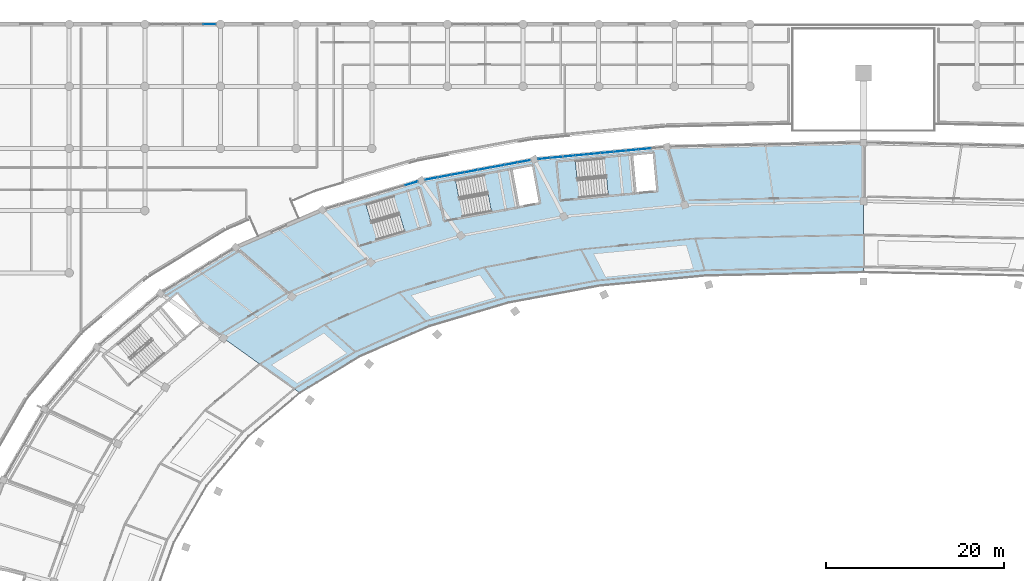
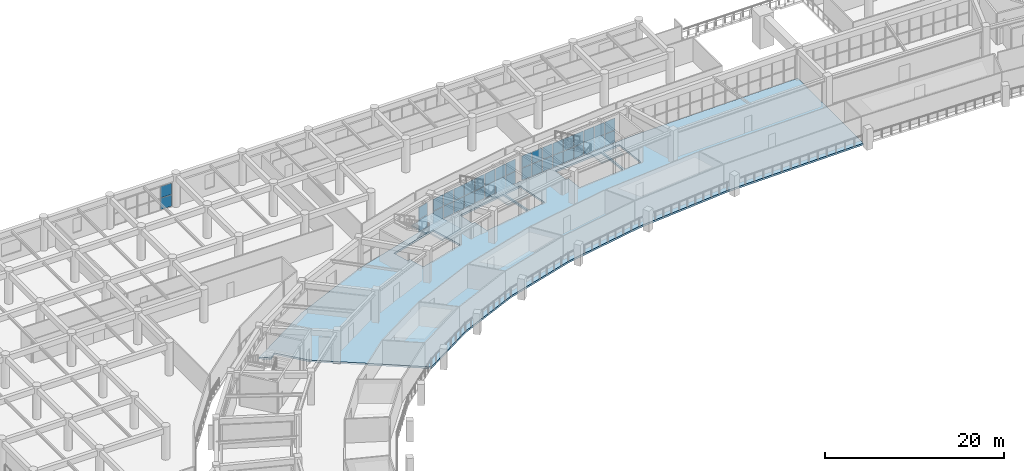
# One storey, part 83 of 141: 38 plates, 4 slabs, 7 elements without a shape of their own.
"""IFC4 building model written with IfcOpenShell, lengths in metres."""

from ifc_helpers import new_model, si_unit, direction, frame, origin, origin_2d, place, context, subcontext, project, spatial, polyline, rectangle, outline, extrude, material, layer, layer_set, type_object, element, aggregate, save


model = new_model("IFC4")

# Units and contexts
model_context = context("Model", 3, precision=1e-05, world=origin(), true_north=direction((0.0, 1.0)))
body_context = subcontext(model_context, "Body", "Model", "MODEL_VIEW")
ifc_project = project(units=[si_unit("LENGTHUNIT", "METRE"), si_unit("AREAUNIT", "SQUARE_METRE"), si_unit("VOLUMEUNIT", "CUBIC_METRE"), si_unit("PLANEANGLEUNIT", "RADIAN"), si_unit("MASSUNIT", "GRAM", prefix="KILO")], contexts=[model_context])

# Site, building, storey
site_placement = place(None, origin())
site = spatial("IfcSite", under=ifc_project, at=site_placement, CompositionType="ELEMENT")
building_placement = place(site_placement, origin())
building = spatial("IfcBuilding", under=site, at=building_placement, Name="Mphavela Belvedere Stadium", CompositionType="ELEMENT")
storey_placement = place(building_placement, frame((0.0, 0.0, 14.699951171875)))
storey = spatial("IfcBuildingStorey", under=building, at=storey_placement, Name="L03", CompositionType="ELEMENT", Elevation=14.699951171875)

# Curtain wall, plates
ifc_material_1 = material(Name="Anodised bronze unitised curtain wall framing")
ifc_layer_1 = layer(ifc_material_1, 0.205078125)
ifc_layer_set_1 = layer_set([ifc_layer_1], Name="Anodised bronze unitised curtain wall framing")
curtain_wall_type_1 = type_object("IfcCurtainWallType", Name="CW-UNIT-06", PredefinedType="USERDEFINED", material=ifc_layer_set_1)
curtain_wall_1_placement = place(storey_placement, origin())
curtain_wall_1 = element("IfcCurtainWall", 1, at=curtain_wall_1_placement, inside=storey, type_object=curtain_wall_type_1, Name="Belvedere colonnade curtain wall L03-14", ObjectType="UNITISED CURTAIN WALL", PredefinedType="USERDEFINED")
ifc_material_2 = material(Name="Solar-control double glazing", Category="glass")
ifc_layer_2 = layer(ifc_material_2, 0.031982421875)
ifc_layer_set_2 = layer_set([ifc_layer_2], Name="Solar-control double glazing")
plate_type = type_object("IfcPlateType", Name="CWP-SOLAR-GLASS", PredefinedType="CURTAIN_PANEL", material=ifc_layer_set_2)
plate_1_placement = place(storey_placement, frame((90.3818359375, 159.955078125, 0.06005859375), z_axis=(0.0, 0.0, 1.0), x_axis=(-0.99548400913, -0.094929381996, 0.0)))
plate_1 = element("IfcPlate", 2, at=plate_1_placement, type_object=plate_type, Name="CW-06 panel 2.1", PredefinedType="CURTAIN_PANEL", context=body_context, shape_type="SweptSolid", body=[
    extrude(rectangle(XDim=1.363037109375, YDim=0.031982421875, at=origin_2d()), origin(), (0.0, 0.0, 1.0), 1.6201171875),
])
plate_2_placement = place(storey_placement, frame((90.3818359375, 159.955078125, 1.739990234375), z_axis=(0.0, 0.0, 1.0), x_axis=(-0.99548400913, -0.094929381996, 0.0)))
plate_2 = element("IfcPlate", 3, at=plate_2_placement, type_object=plate_type, Name="CW-06 panel 2.2", PredefinedType="CURTAIN_PANEL", context=body_context, shape_type="SweptSolid", body=[
    extrude(rectangle(XDim=1.363037109375, YDim=0.031982421875, at=origin_2d()), origin(), (0.0, 0.0, 1.0), 1.6201171875),
])
plate_3_placement = place(storey_placement, frame((88.960205078125, 159.819580078125, 0.06005859375), z_axis=(0.0, 0.0, 1.0), x_axis=(-0.99548400913, -0.094929381996, 0.0)))
plate_3 = element("IfcPlate", 4, at=plate_3_placement, type_object=plate_type, Name="CW-06 panel 3.1", PredefinedType="CURTAIN_PANEL", context=body_context, shape_type="SweptSolid", body=[
    extrude(rectangle(XDim=1.363037109375, YDim=0.031982421875, at=origin_2d()), origin(), (0.0, 0.0, 1.0), 1.6201171875),
])
plate_4_placement = place(storey_placement, frame((88.960205078125, 159.819580078125, 1.739990234375), z_axis=(0.0, 0.0, 1.0), x_axis=(-0.99548400913, -0.094929381996, 0.0)))
plate_4 = element("IfcPlate", 5, at=plate_4_placement, type_object=plate_type, Name="CW-06 panel 3.2", PredefinedType="CURTAIN_PANEL", context=body_context, shape_type="SweptSolid", body=[
    extrude(rectangle(XDim=1.363037109375, YDim=0.031982421875, at=origin_2d()), origin(), (0.0, 0.0, 1.0), 1.6201171875),
])
plate_5_placement = place(storey_placement, frame((87.53857421875, 159.683837890625, 0.06005859375), z_axis=(0.0, 0.0, 1.0), x_axis=(-0.99548400913, -0.094929381996, 0.0)))
plate_5 = element("IfcPlate", 6, at=plate_5_placement, type_object=plate_type, Name="CW-06 panel 4.1", PredefinedType="CURTAIN_PANEL", context=body_context, shape_type="SweptSolid", body=[
    extrude(rectangle(XDim=1.363037109375, YDim=0.031982421875, at=origin_2d()), origin(), (0.0, 0.0, 1.0), 1.6201171875),
])
plate_6_placement = place(storey_placement, frame((87.53857421875, 159.683837890625, 1.739990234375), z_axis=(0.0, 0.0, 1.0), x_axis=(-0.99548400913, -0.094929381996, 0.0)))
plate_6 = element("IfcPlate", 7, at=plate_6_placement, type_object=plate_type, Name="CW-06 panel 4.2", PredefinedType="CURTAIN_PANEL", context=body_context, shape_type="SweptSolid", body=[
    extrude(rectangle(XDim=1.363037109375, YDim=0.031982421875, at=origin_2d()), origin(), (0.0, 0.0, 1.0), 1.6201171875),
])
plate_7_placement = place(storey_placement, frame((86.1171875, 159.54833984375, 0.06005859375), z_axis=(0.0, 0.0, 1.0), x_axis=(-0.99548400913, -0.094929381996, 0.0)))
plate_7 = element("IfcPlate", 8, at=plate_7_placement, type_object=plate_type, Name="CW-06 panel 5.1", PredefinedType="CURTAIN_PANEL", context=body_context, shape_type="SweptSolid", body=[
    extrude(rectangle(XDim=1.363037109375, YDim=0.031982421875, at=origin_2d()), origin(), (0.0, 0.0, 1.0), 1.6201171875),
])
plate_8_placement = place(storey_placement, frame((86.1171875, 159.54833984375, 1.739990234375), z_axis=(0.0, 0.0, 1.0), x_axis=(-0.99548400913, -0.094929381996, 0.0)))
plate_8 = element("IfcPlate", 9, at=plate_8_placement, type_object=plate_type, Name="CW-06 panel 5.2", PredefinedType="CURTAIN_PANEL", context=body_context, shape_type="SweptSolid", body=[
    extrude(rectangle(XDim=1.363037109375, YDim=0.031982421875, at=origin_2d()), origin(), (0.0, 0.0, 1.0), 1.6201171875),
])
plate_9_placement = place(storey_placement, frame((84.695556640625, 159.412841796875, 0.06005859375), z_axis=(0.0, 0.0, 1.0), x_axis=(-0.99548400913, -0.094929381996, 0.0)))
plate_9 = element("IfcPlate", 10, at=plate_9_placement, type_object=plate_type, Name="CW-06 panel 6.1", PredefinedType="CURTAIN_PANEL", context=body_context, shape_type="SweptSolid", body=[
    extrude(rectangle(XDim=1.363037109375, YDim=0.031982421875, at=origin_2d()), origin(), (0.0, 0.0, 1.0), 1.6201171875),
])
plate_10_placement = place(storey_placement, frame((84.695556640625, 159.412841796875, 1.739990234375), z_axis=(0.0, 0.0, 1.0), x_axis=(-0.99548400913, -0.094929381996, 0.0)))
plate_10 = element("IfcPlate", 11, at=plate_10_placement, type_object=plate_type, Name="CW-06 panel 6.2", PredefinedType="CURTAIN_PANEL", context=body_context, shape_type="SweptSolid", body=[
    extrude(rectangle(XDim=1.363037109375, YDim=0.031982421875, at=origin_2d()), origin(), (0.0, 0.0, 1.0), 1.6201171875),
])
plate_11_placement = place(storey_placement, frame((83.27392578125, 159.27734375, 0.06005859375), z_axis=(0.0, 0.0, 1.0), x_axis=(-0.99548400913, -0.094929381996, 0.0)))
plate_11 = element("IfcPlate", 12, at=plate_11_placement, type_object=plate_type, Name="CW-06 panel 7.1", PredefinedType="CURTAIN_PANEL", context=body_context, shape_type="SweptSolid", body=[
    extrude(rectangle(XDim=1.363037109375, YDim=0.031982421875, at=origin_2d()), origin(), (0.0, 0.0, 1.0), 1.6201171875),
])
plate_12_placement = place(storey_placement, frame((83.27392578125, 159.27734375, 1.739990234375), z_axis=(0.0, 0.0, 1.0), x_axis=(-0.99548400913, -0.094929381996, 0.0)))
plate_12 = element("IfcPlate", 13, at=plate_12_placement, type_object=plate_type, Name="CW-06 panel 7.2", PredefinedType="CURTAIN_PANEL", context=body_context, shape_type="SweptSolid", body=[
    extrude(rectangle(XDim=1.363037109375, YDim=0.031982421875, at=origin_2d()), origin(), (0.0, 0.0, 1.0), 1.6201171875),
])
plate_13_placement = place(storey_placement, frame((81.852294921875, 159.1416015625, 0.06005859375), z_axis=(0.0, 0.0, 1.0), x_axis=(-0.99548400913, -0.094929381996, 0.0)))
plate_13 = element("IfcPlate", 14, at=plate_13_placement, type_object=plate_type, Name="CW-06 panel 8.1", PredefinedType="CURTAIN_PANEL", context=body_context, shape_type="SweptSolid", body=[
    extrude(rectangle(XDim=1.363037109375, YDim=0.031982421875, at=origin_2d()), origin(), (0.0, 0.0, 1.0), 1.6201171875),
])
plate_14_placement = place(storey_placement, frame((81.852294921875, 159.1416015625, 1.739990234375), z_axis=(0.0, 0.0, 1.0), x_axis=(-0.99548400913, -0.094929381996, 0.0)))
plate_14 = element("IfcPlate", 15, at=plate_14_placement, type_object=plate_type, Name="CW-06 panel 8.2", PredefinedType="CURTAIN_PANEL", context=body_context, shape_type="SweptSolid", body=[
    extrude(rectangle(XDim=1.363037109375, YDim=0.031982421875, at=origin_2d()), origin(), (0.0, 0.0, 1.0), 1.6201171875),
])
plate_15_placement = place(storey_placement, frame((80.430908203125, 159.006103515625, 0.06005859375), z_axis=(0.0, 0.0, 1.0), x_axis=(-0.99548400913, -0.094929381996, 0.0)))
plate_15 = element("IfcPlate", 16, at=plate_15_placement, type_object=plate_type, Name="CW-06 panel 9.1", PredefinedType="CURTAIN_PANEL", context=body_context, shape_type="SweptSolid", body=[
    extrude(rectangle(XDim=1.363037109375, YDim=0.031982421875, at=origin_2d()), origin(), (0.0, 0.0, 1.0), 1.6201171875),
])
plate_16_placement = place(storey_placement, frame((80.430908203125, 159.006103515625, 1.739990234375), z_axis=(0.0, 0.0, 1.0), x_axis=(-0.99548400913, -0.094929381996, 0.0)))
plate_16 = element("IfcPlate", 17, at=plate_16_placement, type_object=plate_type, Name="CW-06 panel 9.2", PredefinedType="CURTAIN_PANEL", context=body_context, shape_type="SweptSolid", body=[
    extrude(rectangle(XDim=1.363037109375, YDim=0.031982421875, at=origin_2d()), origin(), (0.0, 0.0, 1.0), 1.6201171875),
])
plate_17_placement = place(storey_placement, frame((79.025390625, 158.8720703125, 0.06005859375), z_axis=(0.0, 0.0, 1.0), x_axis=(-0.99548400913, -0.094929381996, 0.0)))
plate_17 = element("IfcPlate", 18, at=plate_17_placement, type_object=plate_type, Name="CW-06 panel 10.1", PredefinedType="CURTAIN_PANEL", context=body_context, shape_type="SweptSolid", body=[
    extrude(rectangle(XDim=1.33056640625, YDim=0.031982421875, at=origin_2d()), origin(), (0.0, 0.0, 1.0), 1.6201171875),
])
plate_18_placement = place(storey_placement, frame((79.025390625, 158.8720703125, 1.739990234375), z_axis=(0.0, 0.0, 1.0), x_axis=(-0.99548400913, -0.094929381996, 0.0)))
plate_18 = element("IfcPlate", 19, at=plate_18_placement, type_object=plate_type, Name="CW-06 panel 10.2", PredefinedType="CURTAIN_PANEL", context=body_context, shape_type="SweptSolid", body=[
    extrude(rectangle(XDim=1.33056640625, YDim=0.031982421875, at=origin_2d()), origin(), (0.0, 0.0, 1.0), 1.6201171875),
])
aggregate(curtain_wall_1, [plate_1, plate_2, plate_3, plate_4, plate_5, plate_6, plate_7, plate_8, plate_9, plate_10, plate_11, plate_12, plate_13, plate_14, plate_15, plate_16, plate_17, plate_18])

ifc_material_3 = material(Name="Anodised bronze unitised curtain wall framing")
ifc_layer_3 = layer(ifc_material_3, 0.179931640625)
ifc_layer_set_3 = layer_set([ifc_layer_3], Name="Anodised bronze unitised curtain wall framing")
curtain_wall_type_2 = type_object("IfcCurtainWallType", Name="CW-UNIT-01", PredefinedType="USERDEFINED", material=ifc_layer_set_3)
curtain_wall_2_placement = place(storey_placement, origin())
curtain_wall_2 = element("IfcCurtainWall", 20, at=curtain_wall_2_placement, inside=storey, type_object=curtain_wall_type_2, Name="Belvedere colonnade curtain wall L03-15", ObjectType="UNITISED CURTAIN WALL", PredefinedType="USERDEFINED")
plate_19_placement = place(storey_placement, frame((76.794921875, 158.556396484375, 0.06005859375), z_axis=(0.0, 0.0, 1.0), x_axis=(-0.983096546836, -0.18308790129, 0.0)))
plate_19 = element("IfcPlate", 21, at=plate_19_placement, type_object=plate_type, Name="CW-01 panel 1.1", PredefinedType="CURTAIN_PANEL", context=body_context, shape_type="SweptSolid", body=[
    extrude(rectangle(XDim=1.427734375, YDim=0.031982421875, at=origin_2d()), origin(), (0.0, 0.0, 1.0), 1.6201171875),
])
plate_20_placement = place(storey_placement, frame((76.794921875, 158.556396484375, 1.739990234375), z_axis=(0.0, 0.0, 1.0), x_axis=(-0.983096546836, -0.18308790129, 0.0)))
plate_20 = element("IfcPlate", 22, at=plate_20_placement, type_object=plate_type, Name="CW-01 panel 1.2", PredefinedType="CURTAIN_PANEL", context=body_context, shape_type="SweptSolid", body=[
    extrude(rectangle(XDim=1.427734375, YDim=0.031982421875, at=origin_2d()), origin(), (0.0, 0.0, 1.0), 1.6201171875),
])
plate_21_placement = place(storey_placement, frame((75.3115234375, 158.2802734375, 0.06005859375), z_axis=(0.0, 0.0, 1.0), x_axis=(-0.983096546836, -0.18308790129, 0.0)))
plate_21 = element("IfcPlate", 23, at=plate_21_placement, type_object=plate_type, Name="CW-01 panel 2.1", PredefinedType="CURTAIN_PANEL", context=body_context, shape_type="SweptSolid", body=[
    extrude(rectangle(XDim=1.460205078125, YDim=0.031982421875, at=origin_2d()), origin(), (0.0, 0.0, 1.0), 1.6201171875),
])
plate_22_placement = place(storey_placement, frame((75.3115234375, 158.2802734375, 1.739990234375), z_axis=(0.0, 0.0, 1.0), x_axis=(-0.983096546836, -0.18308790129, 0.0)))
plate_22 = element("IfcPlate", 24, at=plate_22_placement, type_object=plate_type, Name="CW-01 panel 2.2", PredefinedType="CURTAIN_PANEL", context=body_context, shape_type="SweptSolid", body=[
    extrude(rectangle(XDim=1.460205078125, YDim=0.031982421875, at=origin_2d()), origin(), (0.0, 0.0, 1.0), 1.6201171875),
])
plate_23_placement = place(storey_placement, frame((73.81201171875, 158.0009765625, 0.06005859375), z_axis=(0.0, 0.0, 1.0), x_axis=(-0.983096546836, -0.18308790129, 0.0)))
plate_23 = element("IfcPlate", 25, at=plate_23_placement, type_object=plate_type, Name="CW-01 panel 3.1", PredefinedType="CURTAIN_PANEL", context=body_context, shape_type="SweptSolid", body=[
    extrude(rectangle(XDim=1.460205078125, YDim=0.031982421875, at=origin_2d()), origin(), (0.0, 0.0, 1.0), 1.6201171875),
])
plate_24_placement = place(storey_placement, frame((73.81201171875, 158.0009765625, 1.739990234375), z_axis=(0.0, 0.0, 1.0), x_axis=(-0.983096546836, -0.18308790129, 0.0)))
plate_24 = element("IfcPlate", 26, at=plate_24_placement, type_object=plate_type, Name="CW-01 panel 3.2", PredefinedType="CURTAIN_PANEL", context=body_context, shape_type="SweptSolid", body=[
    extrude(rectangle(XDim=1.460205078125, YDim=0.031982421875, at=origin_2d()), origin(), (0.0, 0.0, 1.0), 1.6201171875),
])
plate_25_placement = place(storey_placement, frame((72.312744140625, 157.7216796875, 0.06005859375), z_axis=(0.0, 0.0, 1.0), x_axis=(-0.983096546836, -0.18308790129, 0.0)))
plate_25 = element("IfcPlate", 27, at=plate_25_placement, type_object=plate_type, Name="CW-01 panel 4.1", PredefinedType="CURTAIN_PANEL", context=body_context, shape_type="SweptSolid", body=[
    extrude(rectangle(XDim=1.460205078125, YDim=0.031982421875, at=origin_2d()), origin(), (0.0, 0.0, 1.0), 1.6201171875),
])
plate_26_placement = place(storey_placement, frame((72.312744140625, 157.7216796875, 1.739990234375), z_axis=(0.0, 0.0, 1.0), x_axis=(-0.983096546836, -0.18308790129, 0.0)))
plate_26 = element("IfcPlate", 28, at=plate_26_placement, type_object=plate_type, Name="CW-01 panel 4.2", PredefinedType="CURTAIN_PANEL", context=body_context, shape_type="SweptSolid", body=[
    extrude(rectangle(XDim=1.460205078125, YDim=0.031982421875, at=origin_2d()), origin(), (0.0, 0.0, 1.0), 1.6201171875),
])
plate_27_placement = place(storey_placement, frame((70.813232421875, 157.442626953125, 0.06005859375), z_axis=(0.0, 0.0, 1.0), x_axis=(-0.983096546836, -0.18308790129, 0.0)))
plate_27 = element("IfcPlate", 29, at=plate_27_placement, type_object=plate_type, Name="CW-01 panel 5.1", PredefinedType="CURTAIN_PANEL", context=body_context, shape_type="SweptSolid", body=[
    extrude(rectangle(XDim=1.460205078125, YDim=0.031982421875, at=origin_2d()), origin(), (0.0, 0.0, 1.0), 1.6201171875),
])
plate_28_placement = place(storey_placement, frame((70.813232421875, 157.442626953125, 1.739990234375), z_axis=(0.0, 0.0, 1.0), x_axis=(-0.983096546836, -0.18308790129, 0.0)))
plate_28 = element("IfcPlate", 30, at=plate_28_placement, type_object=plate_type, Name="CW-01 panel 5.2", PredefinedType="CURTAIN_PANEL", context=body_context, shape_type="SweptSolid", body=[
    extrude(rectangle(XDim=1.460205078125, YDim=0.031982421875, at=origin_2d()), origin(), (0.0, 0.0, 1.0), 1.6201171875),
])
plate_29_placement = place(storey_placement, frame((69.31396484375, 157.163330078125, 0.06005859375), z_axis=(0.0, 0.0, 1.0), x_axis=(-0.983096546836, -0.18308790129, 0.0)))
plate_29 = element("IfcPlate", 31, at=plate_29_placement, type_object=plate_type, Name="CW-01 panel 6.1", PredefinedType="CURTAIN_PANEL", context=body_context, shape_type="SweptSolid", body=[
    extrude(rectangle(XDim=1.460205078125, YDim=0.031982421875, at=origin_2d()), origin(), (0.0, 0.0, 1.0), 1.6201171875),
])
plate_30_placement = place(storey_placement, frame((69.31396484375, 157.163330078125, 1.739990234375), z_axis=(0.0, 0.0, 1.0), x_axis=(-0.983096546836, -0.18308790129, 0.0)))
plate_30 = element("IfcPlate", 32, at=plate_30_placement, type_object=plate_type, Name="CW-01 panel 6.2", PredefinedType="CURTAIN_PANEL", context=body_context, shape_type="SweptSolid", body=[
    extrude(rectangle(XDim=1.460205078125, YDim=0.031982421875, at=origin_2d()), origin(), (0.0, 0.0, 1.0), 1.6201171875),
])
plate_31_placement = place(storey_placement, frame((67.814453125, 156.884033203125, 0.06005859375), z_axis=(0.0, 0.0, 1.0), x_axis=(-0.983096546836, -0.18308790129, 0.0)))
plate_31 = element("IfcPlate", 33, at=plate_31_placement, type_object=plate_type, Name="CW-01 panel 7.1", PredefinedType="CURTAIN_PANEL", context=body_context, shape_type="SweptSolid", body=[
    extrude(rectangle(XDim=1.460205078125, YDim=0.031982421875, at=origin_2d()), origin(), (0.0, 0.0, 1.0), 1.6201171875),
])
plate_32_placement = place(storey_placement, frame((67.814453125, 156.884033203125, 1.739990234375), z_axis=(0.0, 0.0, 1.0), x_axis=(-0.983096546836, -0.18308790129, 0.0)))
plate_32 = element("IfcPlate", 34, at=plate_32_placement, type_object=plate_type, Name="CW-01 panel 7.2", PredefinedType="CURTAIN_PANEL", context=body_context, shape_type="SweptSolid", body=[
    extrude(rectangle(XDim=1.460205078125, YDim=0.031982421875, at=origin_2d()), origin(), (0.0, 0.0, 1.0), 1.6201171875),
])
plate_33_placement = place(storey_placement, frame((66.3310546875, 156.60791015625, 0.06005859375), z_axis=(0.0, 0.0, 1.0), x_axis=(-0.983096546836, -0.18308790129, 0.0)))
plate_33 = element("IfcPlate", 35, at=plate_33_placement, type_object=plate_type, Name="CW-01 panel 8.1", PredefinedType="CURTAIN_PANEL", context=body_context, shape_type="SweptSolid", body=[
    extrude(rectangle(XDim=1.427734375, YDim=0.031982421875, at=origin_2d()), origin(), (0.0, 0.0, 1.0), 1.6201171875),
])
plate_34_placement = place(storey_placement, frame((66.3310546875, 156.60791015625, 1.739990234375), z_axis=(0.0, 0.0, 1.0), x_axis=(-0.983096546836, -0.18308790129, 0.0)))
plate_34 = element("IfcPlate", 36, at=plate_34_placement, type_object=plate_type, Name="CW-01 panel 8.2", PredefinedType="CURTAIN_PANEL", context=body_context, shape_type="SweptSolid", body=[
    extrude(rectangle(XDim=1.427734375, YDim=0.031982421875, at=origin_2d()), origin(), (0.0, 0.0, 1.0), 1.6201171875),
])
aggregate(curtain_wall_2, [plate_19, plate_20, plate_21, plate_22, plate_23, plate_24, plate_25, plate_26, plate_27, plate_28, plate_29, plate_30, plate_31, plate_32, plate_33, plate_34])

ifc_material_4 = material(Name="Anodised bronze unitised curtain wall framing")
ifc_layer_4 = layer(ifc_material_4, 0.18505859375)
ifc_layer_set_4 = layer_set([ifc_layer_4], Name="Anodised bronze unitised curtain wall framing")
curtain_wall_type_3 = type_object("IfcCurtainWallType", Name="CW-UNIT-02", PredefinedType="USERDEFINED", material=ifc_layer_set_4)
curtain_wall_3_placement = place(storey_placement, origin())
curtain_wall_3 = element("IfcCurtainWall", 37, at=curtain_wall_3_placement, inside=storey, type_object=curtain_wall_type_3, Name="Belvedere colonnade curtain wall L03-16", ObjectType="UNITISED CURTAIN WALL", PredefinedType="USERDEFINED")
plate_35_placement = place(storey_placement, frame((64.081298828125, 156.065185546875, 0.06005859375), z_axis=(0.0, 0.0, 1.0), x_axis=(-0.958656747975, -0.284565000591, 0.0)))
plate_35 = element("IfcPlate", 38, at=plate_35_placement, type_object=plate_type, Name="CW-02 panel 1.1", PredefinedType="CURTAIN_PANEL", context=body_context, shape_type="SweptSolid", body=[
    extrude(rectangle(XDim=1.45556640625, YDim=0.031982421875, at=origin_2d()), origin(), (0.0, 0.0, 1.0), 1.6201171875),
])
plate_36_placement = place(storey_placement, frame((64.081298828125, 156.065185546875, 1.739990234375), z_axis=(0.0, 0.0, 1.0), x_axis=(-0.958656747975, -0.284565000591, 0.0)))
plate_36 = element("IfcPlate", 39, at=plate_36_placement, type_object=plate_type, Name="CW-02 panel 1.2", PredefinedType="CURTAIN_PANEL", context=body_context, shape_type="SweptSolid", body=[
    extrude(rectangle(XDim=1.45556640625, YDim=0.031982421875, at=origin_2d()), origin(), (0.0, 0.0, 1.0), 1.6201171875),
])
aggregate(curtain_wall_3, [plate_35, plate_36])

curtain_wall_4_placement = place(storey_placement, origin())
curtain_wall_4 = element("IfcCurtainWall", 40, at=curtain_wall_4_placement, inside=storey, type_object=curtain_wall_type_2, Name="North Mast and Ceremonial End Forecourt gallery curtain wall L03-05", ObjectType="UNITISED CURTAIN WALL", PredefinedType="USERDEFINED")
plate_37_placement = place(storey_placement, frame((41.346435546875, 174.0, 0.06005859375), z_axis=(0.0, 0.0, 1.0), x_axis=(1.0, 0.0, 0.0)))
plate_37 = element("IfcPlate", 41, at=plate_37_placement, type_object=plate_type, Name="CW-01 panel 5.1", PredefinedType="CURTAIN_PANEL", context=body_context, shape_type="SweptSolid", body=[
    extrude(rectangle(XDim=1.4169921875, YDim=0.031982421875, at=origin_2d()), origin(), (0.0, 0.0, 1.0), 1.5400390625),
])
plate_38_placement = place(storey_placement, frame((41.346435546875, 174.0, 1.659912109375), z_axis=(0.0, 0.0, 1.0), x_axis=(1.0, 0.0, 0.0)))
plate_38 = element("IfcPlate", 42, at=plate_38_placement, type_object=plate_type, Name="CW-01 panel 5.2", PredefinedType="CURTAIN_PANEL", context=body_context, shape_type="SweptSolid", body=[
    extrude(rectangle(XDim=1.4169921875, YDim=0.031982421875, at=origin_2d()), origin(), (0.0, 0.0, 1.0), 1.5400390625),
])
aggregate(curtain_wall_4, [plate_37, plate_38])

# Slab
ifc_material_5 = material(Name="Concrete C40/50", Category="concrete")
ifc_layer_5 = layer(ifc_material_5, 0.25)
ifc_layer_set_5 = layer_set([ifc_layer_5], Name="Concrete C40/50")
slab_type_1 = type_object("IfcSlabType", Name="SLB-CONCOURSE-250", PredefinedType="FLOOR", material=ifc_layer_set_5)
slab_1_placement = place(storey_placement, frame((0.0, 0.0, -0.25)))
element("IfcSlab", 43, at=slab_1_placement, inside=storey, type_object=slab_type_1, Name="Concourse sector slab L03-S3", PredefinedType="FLOOR", context=body_context, shape_type="SweptSolid", body=[
    extrude(outline(polyline([(77.92724609375, 158.767333984375), (92.885498046875, 160.19384765625), (115.0, 160.669921875), (115.0, 146.074951171875), (97.2666015625, 145.693115234375), (85.271728515625, 144.54931640625), (75.065185546875, 142.6484375), (66.135009765625, 139.997802734375), (58.3095703125, 136.60546875), (51.526123046875, 132.478515625), (40.40087890625, 140.449951171875), (37.727294921875, 143.617919921875), (36.924560546875, 142.940673828125), (35.844482421875, 143.714599609375), (44.3037109375, 148.86083984375), (54.0625, 153.09130859375), (65.19873046875, 156.39697265625), (77.92724609375, 158.767333984375)]), holes=[polyline([(70.1708984375, 152.37158203125), (76.0302734375, 153.462890625), (75.262939453125, 157.58203125), (69.073486328125, 156.429443359375), (69.45703125, 154.369873046875), (69.787353515625, 154.431396484375), (70.1708984375, 152.37158203125)]), polyline([(77.701171875, 158.0361328125), (75.479248046875, 157.622314453125), (76.246337890625, 153.503173828125), (78.46826171875, 153.9169921875), (77.701171875, 158.0361328125)]), polyline([(82.7578125, 156.5283203125), (83.09228515625, 156.56005859375), (83.291259765625, 154.474609375), (89.224365234375, 155.04052734375), (88.826416015625, 159.211669921875), (82.558837890625, 158.61376953125), (82.7578125, 156.5283203125)]), polyline([(89.443359375, 155.0615234375), (91.693115234375, 155.276123046875), (91.295166015625, 159.447265625), (89.04541015625, 159.232421875), (89.443359375, 155.0615234375)]), polyline([(66.2001953125, 151.490234375), (65.008056640625, 155.507080078125), (58.97216796875, 153.7158203125), (59.568359375, 151.707275390625), (59.890380859375, 151.802978515625), (60.486572265625, 149.79443359375), (66.2001953125, 151.490234375)])]), origin(), (0.0, 0.0, 1.0), 0.25),
])

# Stair, slab
ifc_material_6 = material(Name="Concrete C40/50", Category="concrete")
stair_type_1 = type_object("IfcStairType", Name="STR-HALF-TURN-2", PredefinedType="HALF_TURN_STAIR", material=ifc_material_6)
stair_1_placement = place(storey_placement, origin())
stair_1 = element("IfcStair", 44, at=stair_1_placement, inside=storey, type_object=stair_type_1, Name="L03 Escape stair core C02", PredefinedType="HALF_TURN_STAIR")
ifc_material_7 = material(Name="Concrete C40/50", Category="concrete")
ifc_layer_6 = layer(ifc_material_7, 0.199951171875)
ifc_layer_set_6 = layer_set([ifc_layer_6], Name="Concrete C40/50")
slab_type_2 = type_object("IfcSlabType", Name="SLB-LANDING-200", PredefinedType="LANDING", material=ifc_layer_set_6)
slab_2_placement = place(storey_placement, frame((0.0, 0.0, 2.050048828125)))
slab_2 = element("IfcSlab", 45, at=slab_2_placement, type_object=slab_type_2, Name="ST-C02 landing 1", PredefinedType="LANDING", context=body_context, shape_type="SweptSolid", body=[
    extrude(outline(polyline([(73.11962890625, 152.798828125), (76.052001953125, 153.344970703125), (75.240966796875, 157.7001953125), (71.95947265625, 157.0888671875), (72.364990234375, 154.911376953125), (72.714111328125, 154.976318359375), (73.11962890625, 152.798828125)])), origin(), (0.0, 0.0, 1.0), 0.199951171875),
])
aggregate(stair_1, [slab_2])

ifc_material_8 = material(Name="Concrete C40/50", Category="concrete")
stair_type_2 = type_object("IfcStairType", Name="STR-HALF-TURN-1", PredefinedType="HALF_TURN_STAIR", material=ifc_material_8)
stair_2_placement = place(storey_placement, origin())
stair_2 = element("IfcStair", 46, at=stair_2_placement, inside=storey, type_object=stair_type_2, Name="L03 Escape stair core C04", PredefinedType="HALF_TURN_STAIR")
slab_3_placement = place(storey_placement, frame((0.0, 0.0, 2.050048828125)))
slab_3 = element("IfcSlab", 47, at=slab_3_placement, type_object=slab_type_2, Name="ST-C04 landing 1", PredefinedType="LANDING", context=body_context, shape_type="SweptSolid", body=[
    extrude(outline(polyline([(86.266357421875, 154.6376953125), (89.23583984375, 154.921142578125), (88.81494140625, 159.3310546875), (85.4921875, 159.01416015625), (85.702392578125, 156.80908203125), (86.055908203125, 156.8427734375), (86.266357421875, 154.6376953125)])), origin(), (0.0, 0.0, 1.0), 0.199951171875),
])
aggregate(stair_2, [slab_3])

ifc_material_9 = material(Name="Precast concrete C45/55", Category="concrete")
stair_type_3 = type_object("IfcStairType", Name="STR-TWO-RET-1", PredefinedType="TWO_STRAIGHT_RUN_STAIR", material=ifc_material_9)
stair_3_placement = place(storey_placement, origin())
stair_3 = element("IfcStair", 48, at=stair_3_placement, inside=storey, type_object=stair_type_3, Name="L03 Escape stair core P03", PredefinedType="TWO_STRAIGHT_RUN_STAIR")
slab_4_placement = place(storey_placement, frame((0.0, 0.0, 2.050048828125)))
slab_4 = element("IfcSlab", 49, at=slab_4_placement, type_object=slab_type_2, Name="ST-P03 landing 1", PredefinedType="LANDING", context=body_context, shape_type="SweptSolid", body=[
    extrude(outline(polyline([(63.37451171875, 150.5263671875), (66.234375, 151.375), (64.973876953125, 155.6220703125), (61.773681640625, 154.67236328125), (62.404052734375, 152.548828125), (62.744384765625, 152.64990234375), (63.37451171875, 150.5263671875)])), origin(), (0.0, 0.0, 1.0), 0.199951171875),
])
aggregate(stair_3, [slab_4])

save(model, "model.ifc")
